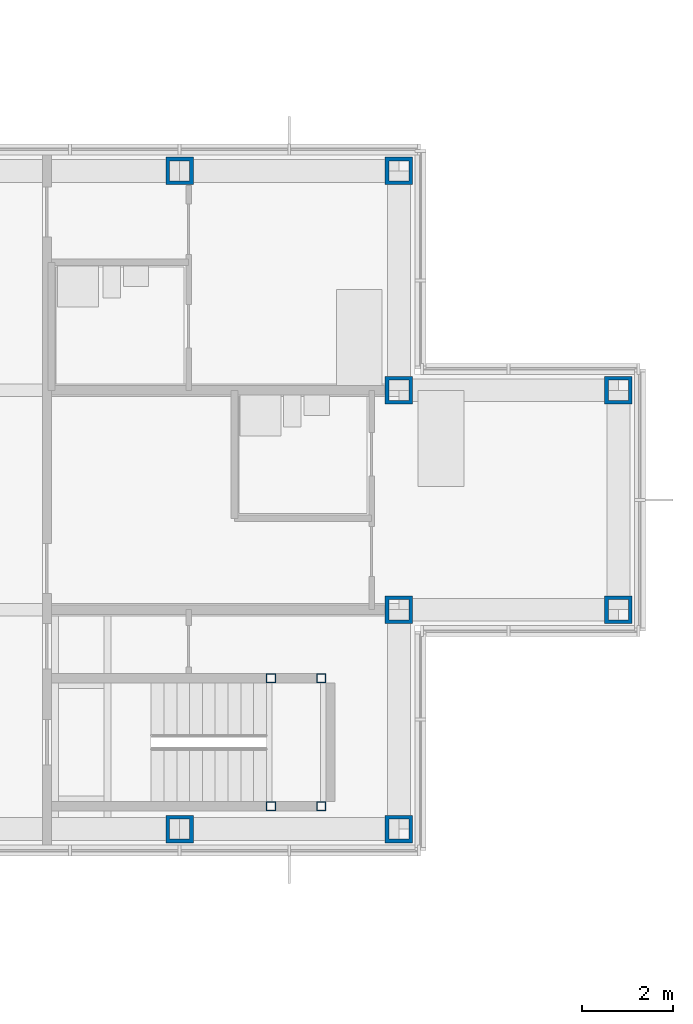
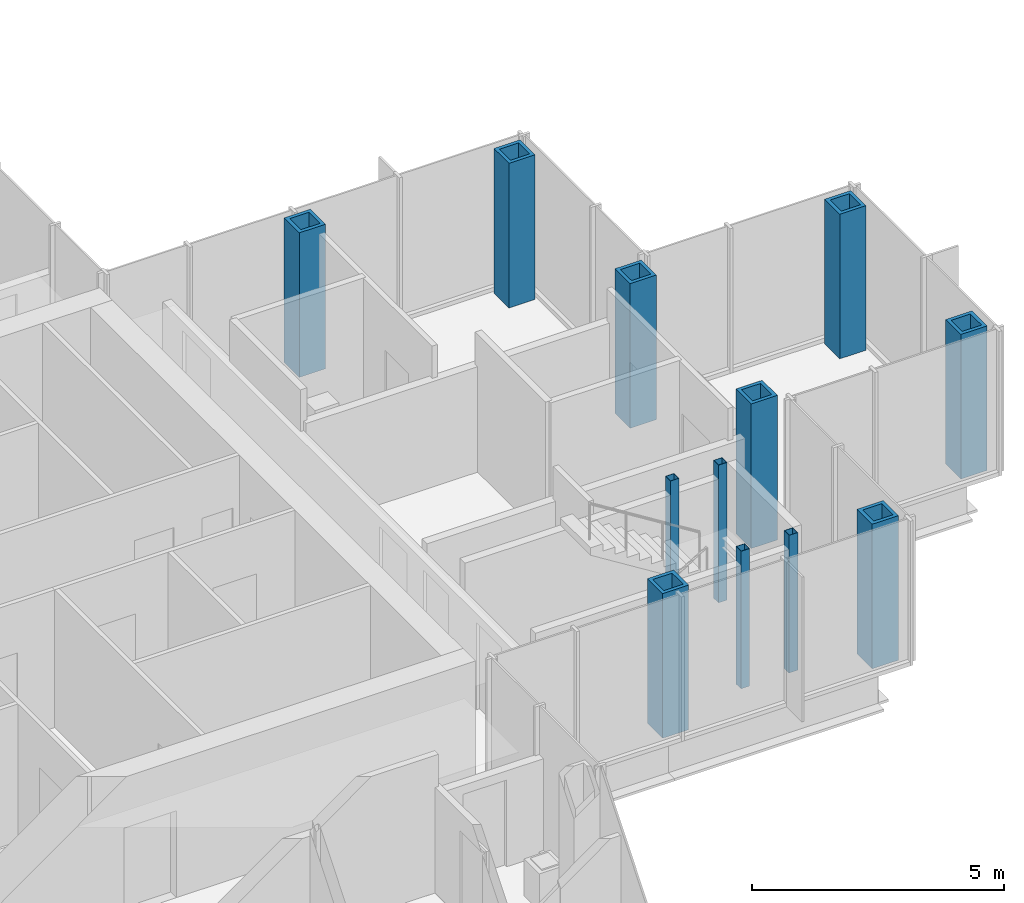
# One storey, part 4 of 17: 12 columns.
"""IFC4 building model written with IfcOpenShell, lengths in metres."""

from ifc_helpers import new_model, si_unit, direction, frame, origin, origin_2d, place, context, subcontext, project, spatial, hollow_rectangle, extrude, material, material_profile, profile_set, type_object, element, save


model = new_model("IFC4")

# Units and contexts
model_context = context("Model", 3, precision=1e-05, world=origin(), true_north=direction((0.0, 1.0)))
body_context = subcontext(model_context, "Body", "Model", "MODEL_VIEW")
ifc_project = project(units=[si_unit("LENGTHUNIT", "METRE"), si_unit("AREAUNIT", "SQUARE_METRE"), si_unit("VOLUMEUNIT", "CUBIC_METRE"), si_unit("PLANEANGLEUNIT", "RADIAN"), si_unit("MASSUNIT", "GRAM", prefix="KILO")], contexts=[model_context])

# Site, building, storey
site_placement = place(None, origin())
site = spatial("IfcSite", under=ifc_project, at=site_placement, CompositionType="ELEMENT")
building_placement = place(site_placement, origin())
building = spatial("IfcBuilding", under=site, at=building_placement, Name="Kvirike Care Tower", CompositionType="ELEMENT")
storey_placement = place(building_placement, frame((0.0, 0.0, 144.5)))
storey = spatial("IfcBuildingStorey", under=building, at=storey_placement, Name="L39", CompositionType="ELEMENT", Elevation=144.5)

# Columns
ifc_material_1 = material(Name="Steel S460", Category="steel")
ifc_material_profile_1 = material_profile(ifc_material_1, hollow_rectangle(XDim=0.60009765625, YDim=0.60009765625, WallThickness=0.080078125, at=origin_2d()), Name="BX 600x600x80")
ifc_profile_set_1 = profile_set([ifc_material_profile_1], Name="Steel S460")
column_type_1 = type_object("IfcColumnType", Name="COLUMN BX 600x600x80", PredefinedType="COLUMN", material=ifc_profile_set_1)
for number, where, z_axis, x_axis, name in (
    (1, (33.60009765625, 28.800048828125, 0.0), (0.0, 0.0, 1.0), (0.0, 1.0, 0.0), "Column G10 L39"),
    (2, (33.60009765625, 43.199951171875, 0.0), (0.0, 0.0, 1.0), (0.0, 1.0, 0.0), "Column K10 L39"),
    (3, (38.39990234375, 28.800048828125, 0.0), (0.0, 0.0, 1.0), (0.0, 1.0, 0.0), "Column G11 L39"),
    (4, (38.39990234375, 33.60009765625, 0.0), (0.0, 0.0, 1.0), (0.0, 1.0, 0.0), "Column H11 L39"),
    (5, (38.39990234375, 38.39990234375, 0.0), (0.0, 0.0, 1.0), (0.0, 1.0, 0.0), "Column J11 L39"),
    (6, (38.39990234375, 43.199951171875, 0.0), (0.0, 0.0, 1.0), (0.0, 1.0, 0.0), "Column K11 L39"),
    (7, (43.199951171875, 33.60009765625, 0.0), (0.0, 0.0, 1.0), (0.0, 1.0, 0.0), "Column H12 L39"),
    (8, (43.199951171875, 38.39990234375, 0.0), (0.0, 0.0, 1.0), (0.0, 1.0, 0.0), "Column J12 L39"),
):
    element("IfcColumn", number, at=place(storey_placement, frame(where, z_axis=z_axis, x_axis=x_axis)), inside=storey, type_object=column_type_1, Name=name, PredefinedType="COLUMN", context=body_context, shape_type="SweptSolid", body=[
        extrude(hollow_rectangle(XDim=0.60009765625, YDim=0.60009765625, WallThickness=0.080078125, at=origin_2d()), origin(), (0.0, 0.0, 1.0), 3.5),
    ])
ifc_material_2 = material(Name="Steel S460", Category="steel")
ifc_material_profile_2 = material_profile(ifc_material_2, hollow_rectangle(XDim=0.199951171875, YDim=0.199951171875, WallThickness=0.008056640625, at=origin_2d()), Name="SHS 200x200x8")
ifc_profile_set_2 = profile_set([ifc_material_profile_2], Name="Steel S460")
column_type_2 = type_object("IfcColumnType", Name="STAIR POST SHS 200x200x8", PredefinedType="COLUMN", material=ifc_profile_set_2)
for number, where, z_axis, x_axis, name in (
    (9, (36.699951171875, 29.300048828125, 0.0), (0.0, 0.0, 1.0), (1.0, 0.0, 0.0), "Stair 2 post 1 L39"),
    (10, (36.699951171875, 32.10009765625, 0.0), (0.0, 0.0, 1.0), (1.0, 0.0, 0.0), "Stair 2 post 2 L39"),
    (11, (35.60009765625, 29.300048828125, 0.0), (0.0, 0.0, 1.0), (1.0, 0.0, 0.0), "Stair 2 post 3 L39"),
    (12, (35.60009765625, 32.10009765625, 0.0), (0.0, 0.0, 1.0), (1.0, 0.0, 0.0), "Stair 2 post 4 L39"),
):
    element("IfcColumn", number, at=place(storey_placement, frame(where, z_axis=z_axis, x_axis=x_axis)), inside=storey, type_object=column_type_2, Name=name, PredefinedType="COLUMN", context=body_context, shape_type="SweptSolid", body=[
        extrude(hollow_rectangle(XDim=0.199951171875, YDim=0.199951171875, WallThickness=0.008056640625, at=origin_2d()), origin(), (0.0, 0.0, 1.0), 3.330078125),
    ])

save(model, "model.ifc")
